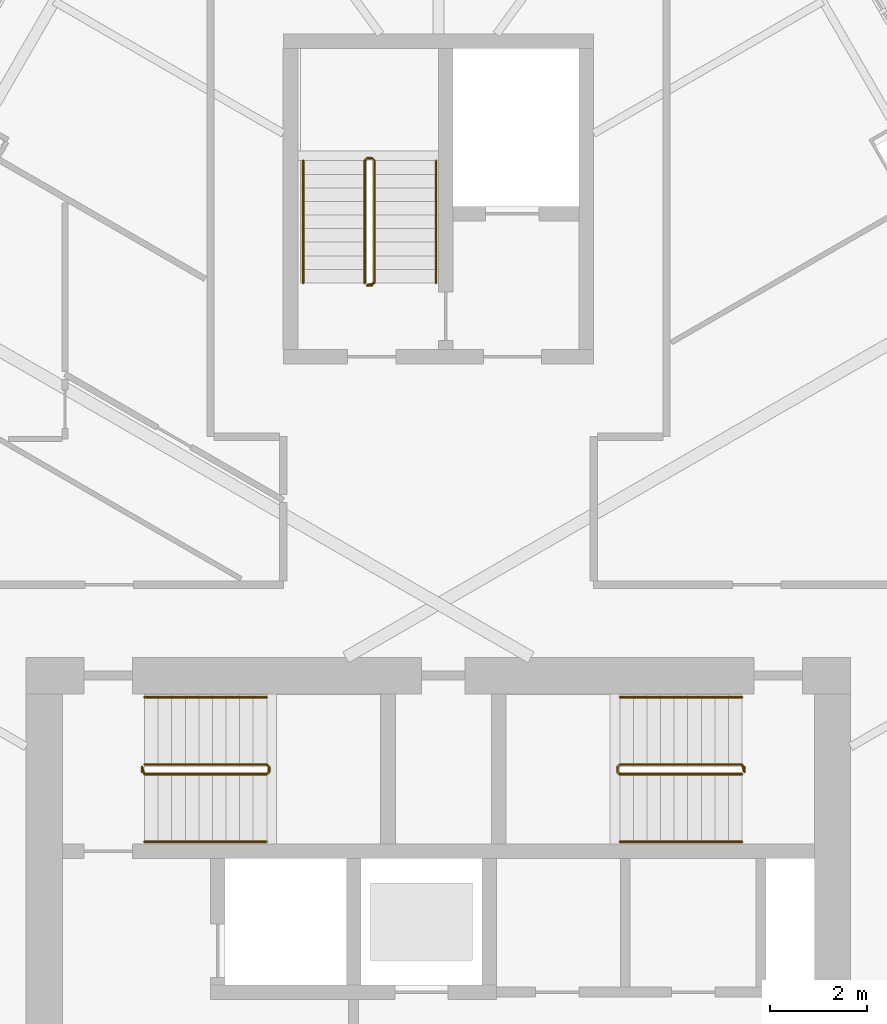
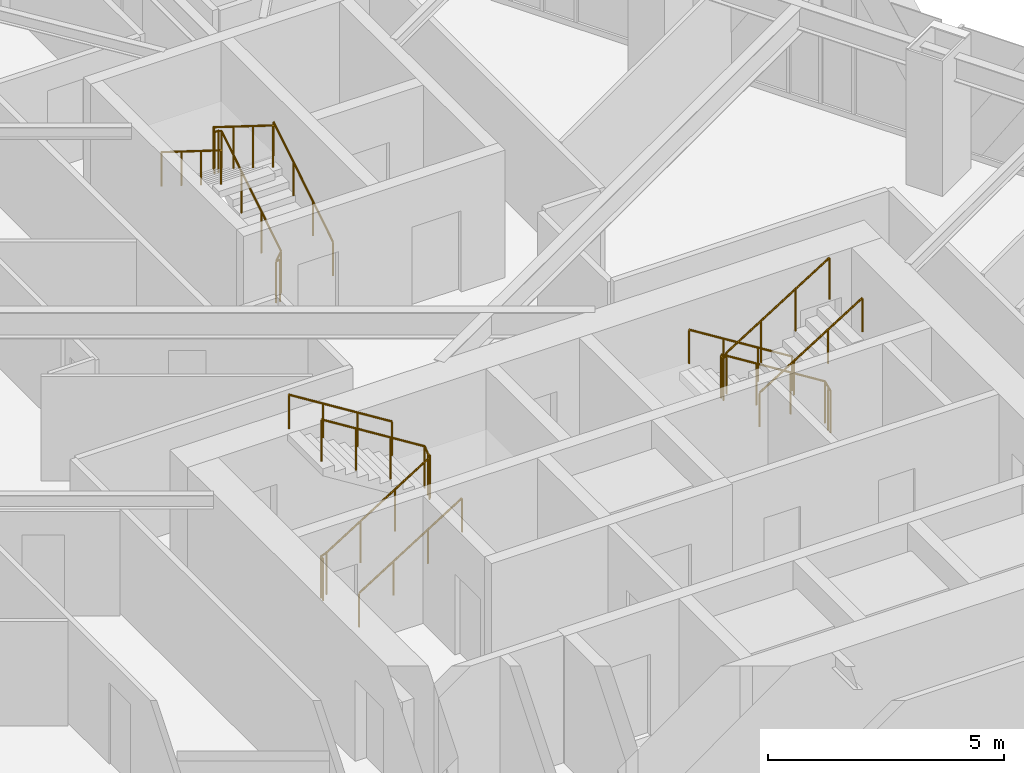
# One storey, part 23 of 24: 9 railings.
"""IFC4 building model written with IfcOpenShell, lengths in metres."""

from ifc_helpers import new_model, si_unit, direction, frame, origin, origin_2d, place, context, subcontext, project, spatial, circle, extrude, material, type_object, element, save


model = new_model("IFC4")

# Units and contexts
model_context = context("Model", 3, precision=1e-05, world=origin(), true_north=direction((0.0, 1.0)))
body_context = subcontext(model_context, "Body", "Model", "MODEL_VIEW")
ifc_project = project(units=[si_unit("LENGTHUNIT", "METRE"), si_unit("AREAUNIT", "SQUARE_METRE"), si_unit("VOLUMEUNIT", "CUBIC_METRE"), si_unit("PLANEANGLEUNIT", "RADIAN"), si_unit("MASSUNIT", "GRAM", prefix="KILO")], contexts=[model_context])

# Site, building, storey
site_placement = place(None, origin())
site = spatial("IfcSite", under=ifc_project, at=site_placement, CompositionType="ELEMENT")
building_placement = place(site_placement, origin())
building = spatial("IfcBuilding", under=site, at=building_placement, Name="Firuza Gate Tower and Library", CompositionType="ELEMENT")
storey_placement = place(building_placement, frame((0.0, 0.0, 260.10009765625)))
storey = spatial("IfcBuildingStorey", under=building, at=storey_placement, Name="L61", CompositionType="ELEMENT", Elevation=260.10009765625)

# Railings
ifc_material_1 = material(Name="Steel S355", Category="steel")
railing_type_1 = type_object("IfcRailingType", Name="Stair guard 1100", PredefinedType="GUARDRAIL", material=ifc_material_1)
railing_1_placement = place(storey_placement, frame((68.889892578125, 79.389892578125, 0.0)))
element("IfcRailing", 1, at=railing_1_placement, inside=storey, type_object=railing_type_1, Name="L61 ST1 stair guard 1", PredefinedType="GUARDRAIL", context=body_context, shape_type="SweptSolid", body=[
    extrude(circle(Radius=0.02392578125, at=origin_2d()), frame((0.0, 0.0, 1.076171875), z_axis=(0.0, 1.0, 0.0), x_axis=(-1.0, 0.0, 0.0)), (0.0, 0.0, 1.0), 0.10009765625),
    extrude(circle(Radius=0.02392578125, at=origin_2d()), frame((0.0, 0.10009765625, 1.076171875), z_axis=(0.212383695785, -0.636115069328, 0.741788908207), x_axis=(0.948528701346, 0.316691178788, 0.0)), (0.0, 0.0, 1.0), 0.235595703125),
    extrude(circle(Radius=0.02392578125, at=origin_2d()), frame((0.050048828125, -0.0498046875, 1.2509765625), z_axis=(0.847970611238, 0.0, 0.530043245855), x_axis=(0.0, 1.0, 0.0)), (0.0, 0.0, 1.0), 2.971923828125),
    extrude(circle(Radius=0.02392578125, at=origin_2d()), frame((2.570068359375, -0.0498046875, 2.826171875), z_axis=(0.708833529934, 0.705375805398, 0.0), x_axis=(-0.705375805398, 0.708833529934, 0.0)), (0.0, 0.0, 1.0), 0.070556640625),
    extrude(circle(Radius=0.02392578125, at=origin_2d()), frame((2.6201171875, 0.0, 2.826171875), z_axis=(0.0, 1.0, 0.0), x_axis=(-1.0, 0.0, 0.0)), (0.0, 0.0, 1.0), 0.10009765625),
    extrude(circle(Radius=0.02392578125, at=origin_2d()), frame((2.6201171875, 0.10009765625, 2.826171875), z_axis=(-0.265383341853, 0.265383341853, 0.926899867156), x_axis=(-0.707106781187, -0.707106781187, 0.0)), (0.0, 0.0, 1.0), 0.1884765625),
    extrude(circle(Radius=0.02392578125, at=origin_2d()), frame((2.570068359375, 0.150146484375, 3.0009765625), z_axis=(-0.847970611238, 0.0, 0.530043245855), x_axis=(0.0, -1.0, 0.0)), (0.0, 0.0, 1.0), 2.971923828125),
    extrude(circle(Radius=0.02099609375, at=origin_2d()), origin(), (0.0, 0.0, 1.0), 1.052001953125),
    extrude(circle(Radius=0.02099609375, at=origin_2d()), frame((0.0, 0.10009765625, 0.0)), (0.0, 0.0, 1.0), 1.052001953125),
    extrude(circle(Radius=0.02099609375, at=origin_2d()), frame((0.050048828125, -0.0498046875, 0.1748046875)), (0.0, 0.0, 1.0), 1.052001953125),
    extrude(circle(Radius=0.02099609375, at=origin_2d()), frame((0.89013671875, -0.0498046875, 0.699951171875)), (0.0, 0.0, 1.0), 1.052001953125),
    extrude(circle(Radius=0.02099609375, at=origin_2d()), frame((1.72998046875, -0.0498046875, 1.224853515625)), (0.0, 0.0, 1.0), 1.052001953125),
    extrude(circle(Radius=0.02099609375, at=origin_2d()), frame((2.570068359375, -0.0498046875, 1.75)), (0.0, 0.0, 1.0), 1.052001953125),
    extrude(circle(Radius=0.02099609375, at=origin_2d()), frame((2.6201171875, 0.0, 1.75)), (0.0, 0.0, 1.0), 1.052001953125),
    extrude(circle(Radius=0.02099609375, at=origin_2d()), frame((2.6201171875, 0.10009765625, 1.75)), (0.0, 0.0, 1.0), 1.052001953125),
    extrude(circle(Radius=0.02099609375, at=origin_2d()), frame((2.570068359375, 0.150146484375, 1.9248046875)), (0.0, 0.0, 1.0), 1.052001953125),
    extrude(circle(Radius=0.02099609375, at=origin_2d()), frame((1.72998046875, 0.150146484375, 2.449951171875)), (0.0, 0.0, 1.0), 1.052001953125),
    extrude(circle(Radius=0.02099609375, at=origin_2d()), frame((0.89013671875, 0.150146484375, 2.974853515625)), (0.0, 0.0, 1.0), 1.052001953125),
    extrude(circle(Radius=0.02099609375, at=origin_2d()), frame((0.050048828125, 0.150146484375, 3.5)), (0.0, 0.0, 1.0), 1.052001953125),
])
railing_2_placement = place(storey_placement, frame((81.31005859375, 79.489990234375, 0.0)))
element("IfcRailing", 2, at=railing_2_placement, inside=storey, type_object=railing_type_1, Name="L61 ST2 stair guard 1", PredefinedType="GUARDRAIL", context=body_context, shape_type="SweptSolid", body=[
    extrude(circle(Radius=0.02392578125, at=origin_2d()), frame((0.0, 0.0, 1.076171875), z_axis=(0.0, -1.0, 0.0), x_axis=(1.0, 0.0, 0.0)), (0.0, 0.0, 1.0), 0.10009765625),
    extrude(circle(Radius=0.02392578125, at=origin_2d()), frame((0.0, -0.10009765625, 1.076171875), z_axis=(-0.21224375372, 0.63673126116, 0.741300134944), x_axis=(-0.948683298051, -0.316227766017, 0.0)), (0.0, 0.0, 1.0), 0.23583984375),
    extrude(circle(Radius=0.02392578125, at=origin_2d()), frame((-0.050048828125, 0.050048828125, 1.2509765625), z_axis=(-0.847970611238, 0.0, 0.530043245855), x_axis=(0.0, -1.0, 0.0)), (0.0, 0.0, 1.0), 2.971923828125),
    extrude(circle(Radius=0.02392578125, at=origin_2d()), frame((-2.570068359375, 0.050048828125, 2.826171875), z_axis=(-0.707106781187, -0.707106781187, 0.0), x_axis=(0.707106781187, -0.707106781187, 0.0)), (0.0, 0.0, 1.0), 0.07080078125),
    extrude(circle(Radius=0.02392578125, at=origin_2d()), frame((-2.6201171875, 0.0, 2.826171875), z_axis=(0.0, -1.0, 0.0), x_axis=(1.0, 0.0, 0.0)), (0.0, 0.0, 1.0), 0.10009765625),
    extrude(circle(Radius=0.02392578125, at=origin_2d()), frame((-2.6201171875, -0.10009765625, 2.826171875), z_axis=(0.265474339444, -0.264179342666, 0.927217692888), x_axis=(0.705375805398, 0.708833529934, 0.0)), (0.0, 0.0, 1.0), 0.1884765625),
    extrude(circle(Radius=0.02392578125, at=origin_2d()), frame((-2.570068359375, -0.14990234375, 3.0009765625), z_axis=(0.847970611238, 0.0, 0.530043245855), x_axis=(0.0, 1.0, 0.0)), (0.0, 0.0, 1.0), 2.971923828125),
    extrude(circle(Radius=0.02099609375, at=origin_2d()), origin(), (0.0, 0.0, 1.0), 1.052001953125),
    extrude(circle(Radius=0.02099609375, at=origin_2d()), frame((0.0, -0.10009765625, 0.0)), (0.0, 0.0, 1.0), 1.052001953125),
    extrude(circle(Radius=0.02099609375, at=origin_2d()), frame((-0.050048828125, 0.050048828125, 0.1748046875)), (0.0, 0.0, 1.0), 1.052001953125),
    extrude(circle(Radius=0.02099609375, at=origin_2d()), frame((-0.89013671875, 0.050048828125, 0.699951171875)), (0.0, 0.0, 1.0), 1.052001953125),
    extrude(circle(Radius=0.02099609375, at=origin_2d()), frame((-1.72998046875, 0.050048828125, 1.224853515625)), (0.0, 0.0, 1.0), 1.052001953125),
    extrude(circle(Radius=0.02099609375, at=origin_2d()), frame((-2.570068359375, 0.050048828125, 1.75)), (0.0, 0.0, 1.0), 1.052001953125),
    extrude(circle(Radius=0.02099609375, at=origin_2d()), frame((-2.6201171875, 0.0, 1.75)), (0.0, 0.0, 1.0), 1.052001953125),
    extrude(circle(Radius=0.02099609375, at=origin_2d()), frame((-2.6201171875, -0.10009765625, 1.75)), (0.0, 0.0, 1.0), 1.052001953125),
    extrude(circle(Radius=0.02099609375, at=origin_2d()), frame((-2.570068359375, -0.14990234375, 1.9248046875)), (0.0, 0.0, 1.0), 1.052001953125),
    extrude(circle(Radius=0.02099609375, at=origin_2d()), frame((-1.72998046875, -0.14990234375, 2.449951171875)), (0.0, 0.0, 1.0), 1.052001953125),
    extrude(circle(Radius=0.02099609375, at=origin_2d()), frame((-0.89013671875, -0.14990234375, 2.974853515625)), (0.0, 0.0, 1.0), 1.052001953125),
    extrude(circle(Radius=0.02099609375, at=origin_2d()), frame((-0.050048828125, -0.14990234375, 3.5)), (0.0, 0.0, 1.0), 1.052001953125),
])
railing_3_placement = place(storey_placement, frame((73.6298828125, 89.419921875, 0.0)))
element("IfcRailing", 3, at=railing_3_placement, inside=storey, type_object=railing_type_1, Name="L61 ST3 stair guard 1", PredefinedType="GUARDRAIL", context=body_context, shape_type="SweptSolid", body=[
    extrude(circle(Radius=0.02392578125, at=origin_2d()), frame((0.0, 0.0, 1.076171875), z_axis=(-1.0, 0.0, 0.0), x_axis=(0.0, -1.0, 0.0)), (0.0, 0.0, 1.0), 0.099853515625),
    extrude(circle(Radius=0.02392578125, at=origin_2d()), frame((-0.099853515625, 0.0, 1.076171875), z_axis=(0.636115069328, 0.212383695785, 0.741788908207), x_axis=(-0.316691178788, 0.948528701346, 0.0)), (0.0, 0.0, 1.0), 0.235595703125),
    extrude(circle(Radius=0.02392578125, at=origin_2d()), frame((0.050048828125, 0.050048828125, 1.2509765625), z_axis=(0.0, 0.847970611238, 0.530043245855), x_axis=(-1.0, 0.0, 0.0)), (0.0, 0.0, 1.0), 2.971923828125),
    extrude(circle(Radius=0.02392578125, at=origin_2d()), frame((0.050048828125, 2.570068359375, 2.826171875), z_axis=(-0.707106781187, 0.707106781187, 0.0), x_axis=(-0.707106781187, -0.707106781187, 0.0)), (0.0, 0.0, 1.0), 0.07080078125),
    extrude(circle(Radius=0.02392578125, at=origin_2d()), frame((0.0, 2.6201171875, 2.826171875), z_axis=(-1.0, 0.0, 0.0), x_axis=(0.0, -1.0, 0.0)), (0.0, 0.0, 1.0), 0.099853515625),
    extrude(circle(Radius=0.02392578125, at=origin_2d()), frame((-0.099853515625, 2.6201171875, 2.826171875), z_axis=(-0.265383341853, -0.265383341853, 0.926899867156), x_axis=(0.707106781187, -0.707106781187, 0.0)), (0.0, 0.0, 1.0), 0.1884765625),
    extrude(circle(Radius=0.02392578125, at=origin_2d()), frame((-0.14990234375, 2.570068359375, 3.0009765625), z_axis=(0.0, -0.847970611238, 0.530043245855), x_axis=(1.0, 0.0, 0.0)), (0.0, 0.0, 1.0), 2.971923828125),
    extrude(circle(Radius=0.02099609375, at=origin_2d()), origin(), (0.0, 0.0, 1.0), 1.052001953125),
    extrude(circle(Radius=0.02099609375, at=origin_2d()), frame((-0.099853515625, 0.0, 0.0)), (0.0, 0.0, 1.0), 1.052001953125),
    extrude(circle(Radius=0.02099609375, at=origin_2d()), frame((0.050048828125, 0.050048828125, 0.1748046875)), (0.0, 0.0, 1.0), 1.052001953125),
    extrude(circle(Radius=0.02099609375, at=origin_2d()), frame((0.050048828125, 0.89013671875, 0.699951171875)), (0.0, 0.0, 1.0), 1.052001953125),
    extrude(circle(Radius=0.02099609375, at=origin_2d()), frame((0.050048828125, 1.72998046875, 1.224853515625)), (0.0, 0.0, 1.0), 1.052001953125),
    extrude(circle(Radius=0.02099609375, at=origin_2d()), frame((0.050048828125, 2.570068359375, 1.75)), (0.0, 0.0, 1.0), 1.052001953125),
    extrude(circle(Radius=0.02099609375, at=origin_2d()), frame((0.0, 2.6201171875, 1.75)), (0.0, 0.0, 1.0), 1.052001953125),
    extrude(circle(Radius=0.02099609375, at=origin_2d()), frame((-0.099853515625, 2.6201171875, 1.75)), (0.0, 0.0, 1.0), 1.052001953125),
    extrude(circle(Radius=0.02099609375, at=origin_2d()), frame((-0.14990234375, 2.570068359375, 1.9248046875)), (0.0, 0.0, 1.0), 1.052001953125),
    extrude(circle(Radius=0.02099609375, at=origin_2d()), frame((-0.14990234375, 1.72998046875, 2.449951171875)), (0.0, 0.0, 1.0), 1.052001953125),
    extrude(circle(Radius=0.02099609375, at=origin_2d()), frame((-0.14990234375, 0.89013671875, 2.974853515625)), (0.0, 0.0, 1.0), 1.052001953125),
    extrude(circle(Radius=0.02099609375, at=origin_2d()), frame((-0.14990234375, 0.050048828125, 3.5)), (0.0, 0.0, 1.0), 1.052001953125),
])
ifc_material_2 = material(Name="Steel S355", Category="steel")
railing_type_2 = type_object("IfcRailingType", Name="Stair handrail 900", PredefinedType="HANDRAIL", material=ifc_material_2)
railing_4_placement = place(storey_placement, frame((68.93994140625, 77.949951171875, 0.1748046875)))
element("IfcRailing", 4, at=railing_4_placement, inside=storey, type_object=railing_type_2, Name="L61 ST1 stair handrail 1", PredefinedType="HANDRAIL", context=body_context, shape_type="SweptSolid", body=[
    extrude(circle(Radius=0.02392578125, at=origin_2d()), frame((0.0, 0.0, 0.8759765625), z_axis=(0.847970611238, 0.0, 0.530043245855), x_axis=(0.0, 1.0, 0.0)), (0.0, 0.0, 1.0), 2.971923828125),
    extrude(circle(Radius=0.02099609375, at=origin_2d()), origin(), (0.0, 0.0, 1.0), 0.851806640625),
    extrude(circle(Radius=0.02099609375, at=origin_2d()), frame((0.840087890625, 0.0, 0.525146484375)), (0.0, 0.0, 1.0), 0.851806640625),
    extrude(circle(Radius=0.02099609375, at=origin_2d()), frame((1.679931640625, 0.0, 1.050048828125)), (0.0, 0.0, 1.0), 0.851806640625),
    extrude(circle(Radius=0.02099609375, at=origin_2d()), frame((2.52001953125, 0.0, 1.5751953125)), (0.0, 0.0, 1.0), 0.851806640625),
])
for number, where, name in (
    (5, (71.4599609375, 80.929931640625, 1.9248046875), "L61 ST1 stair handrail 2"),
    (6, (81.260009765625, 80.929931640625, 0.1748046875), "L61 ST2 stair handrail 1"),
):
    element("IfcRailing", number, at=place(storey_placement, frame(where)), inside=storey, type_object=railing_type_2, Name=name, PredefinedType="HANDRAIL", context=body_context, shape_type="SweptSolid", body=[
        extrude(circle(Radius=0.02392578125, at=origin_2d()), frame((0.0, 0.0, 0.8759765625), z_axis=(-0.847970611238, 0.0, 0.530043245855), x_axis=(0.0, -1.0, 0.0)), (0.0, 0.0, 1.0), 2.971923828125),
        extrude(circle(Radius=0.02099609375, at=origin_2d()), origin(), (0.0, 0.0, 1.0), 0.851806640625),
        extrude(circle(Radius=0.02099609375, at=origin_2d()), frame((-0.840087890625, 0.0, 0.525146484375)), (0.0, 0.0, 1.0), 0.851806640625),
        extrude(circle(Radius=0.02099609375, at=origin_2d()), frame((-1.679931640625, 0.0, 1.050048828125)), (0.0, 0.0, 1.0), 0.851806640625),
        extrude(circle(Radius=0.02099609375, at=origin_2d()), frame((-2.52001953125, 0.0, 1.5751953125)), (0.0, 0.0, 1.0), 0.851806640625),
    ])
railing_5_placement = place(storey_placement, frame((78.739990234375, 77.949951171875, 1.9248046875)))
element("IfcRailing", 7, at=railing_5_placement, inside=storey, type_object=railing_type_2, Name="L61 ST2 stair handrail 2", PredefinedType="HANDRAIL", context=body_context, shape_type="SweptSolid", body=[
    extrude(circle(Radius=0.02392578125, at=origin_2d()), frame((0.0, 0.0, 0.8759765625), z_axis=(0.847970611238, 0.0, 0.530043245855), x_axis=(0.0, 1.0, 0.0)), (0.0, 0.0, 1.0), 2.971923828125),
    extrude(circle(Radius=0.02099609375, at=origin_2d()), origin(), (0.0, 0.0, 1.0), 0.851806640625),
    extrude(circle(Radius=0.02099609375, at=origin_2d()), frame((0.840087890625, 0.0, 0.525146484375)), (0.0, 0.0, 1.0), 0.851806640625),
    extrude(circle(Radius=0.02099609375, at=origin_2d()), frame((1.679931640625, 0.0, 1.050048828125)), (0.0, 0.0, 1.0), 0.851806640625),
    extrude(circle(Radius=0.02099609375, at=origin_2d()), frame((2.52001953125, 0.0, 1.5751953125)), (0.0, 0.0, 1.0), 0.851806640625),
])
railing_6_placement = place(storey_placement, frame((74.949951171875, 89.469970703125, 0.1748046875)))
element("IfcRailing", 8, at=railing_6_placement, inside=storey, type_object=railing_type_2, Name="L61 ST3 stair handrail 1", PredefinedType="HANDRAIL", context=body_context, shape_type="SweptSolid", body=[
    extrude(circle(Radius=0.02392578125, at=origin_2d()), frame((0.0, 0.0, 0.8759765625), z_axis=(0.0, 0.847970611238, 0.530043245855), x_axis=(-1.0, 0.0, 0.0)), (0.0, 0.0, 1.0), 2.971923828125),
    extrude(circle(Radius=0.02099609375, at=origin_2d()), origin(), (0.0, 0.0, 1.0), 0.851806640625),
    extrude(circle(Radius=0.02099609375, at=origin_2d()), frame((0.0, 0.840087890625, 0.525146484375)), (0.0, 0.0, 1.0), 0.851806640625),
    extrude(circle(Radius=0.02099609375, at=origin_2d()), frame((0.0, 1.679931640625, 1.050048828125)), (0.0, 0.0, 1.0), 0.851806640625),
    extrude(circle(Radius=0.02099609375, at=origin_2d()), frame((0.0, 2.52001953125, 1.5751953125)), (0.0, 0.0, 1.0), 0.851806640625),
])
railing_7_placement = place(storey_placement, frame((72.2099609375, 91.989990234375, 1.9248046875)))
element("IfcRailing", 9, at=railing_7_placement, inside=storey, type_object=railing_type_2, Name="L61 ST3 stair handrail 2", PredefinedType="HANDRAIL", context=body_context, shape_type="SweptSolid", body=[
    extrude(circle(Radius=0.02392578125, at=origin_2d()), frame((0.0, 0.0, 0.8759765625), z_axis=(0.0, -0.847970611238, 0.530043245855), x_axis=(1.0, 0.0, 0.0)), (0.0, 0.0, 1.0), 2.971923828125),
    extrude(circle(Radius=0.02099609375, at=origin_2d()), origin(), (0.0, 0.0, 1.0), 0.851806640625),
    extrude(circle(Radius=0.02099609375, at=origin_2d()), frame((0.0, -0.840087890625, 0.525146484375)), (0.0, 0.0, 1.0), 0.851806640625),
    extrude(circle(Radius=0.02099609375, at=origin_2d()), frame((0.0, -1.679931640625, 1.050048828125)), (0.0, 0.0, 1.0), 0.851806640625),
    extrude(circle(Radius=0.02099609375, at=origin_2d()), frame((0.0, -2.52001953125, 1.5751953125)), (0.0, 0.0, 1.0), 0.851806640625),
])

save(model, "model.ifc")
